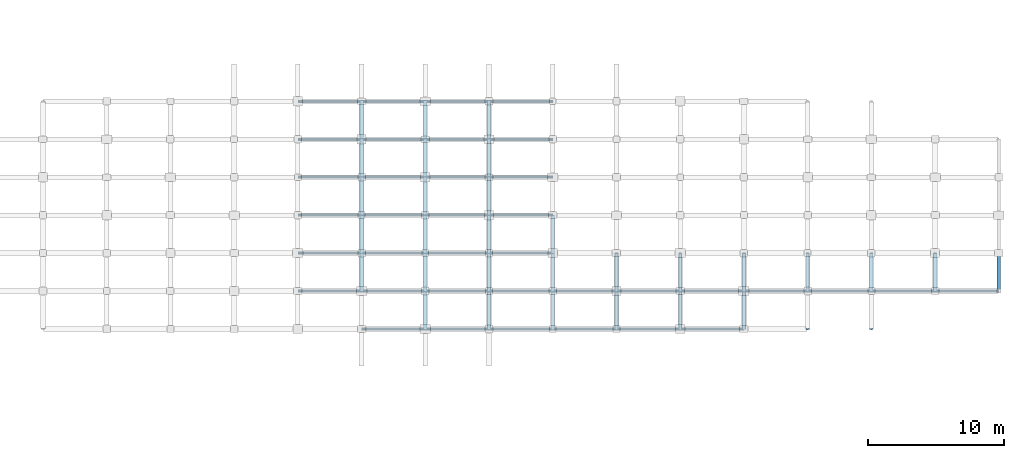
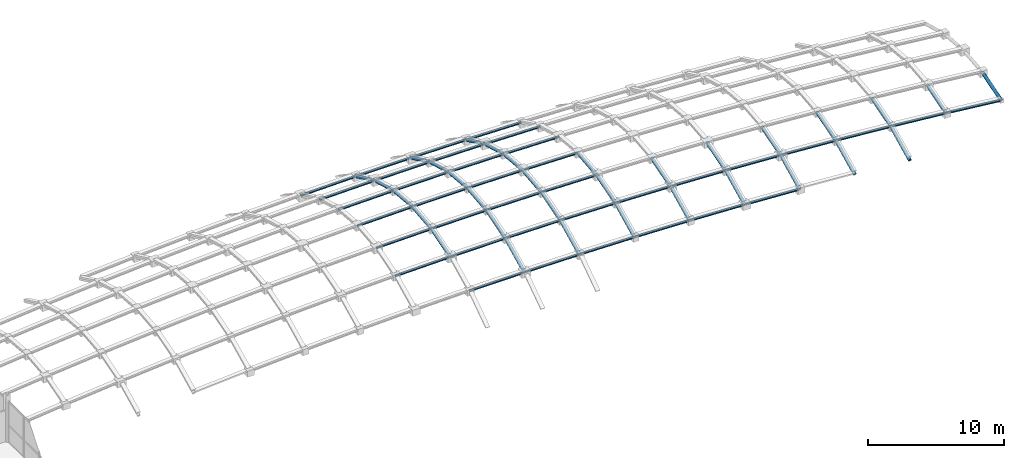
# One storey, part 18 of 36: 37 members, 32 beams.
"""IFC4 building model written with IfcOpenShell, lengths in metres."""

from ifc_helpers import new_model, si_unit, direction, frame, origin, origin_2d, place, context, subcontext, project, spatial, hollow_circle, extrude, material, material_profile, profile_set, type_object, element, save


model = new_model("IFC4")

# Units and contexts
model_context = context("Model", 3, precision=1e-05, world=origin(), true_north=direction((0.0, 1.0)))
body_context = subcontext(model_context, "Body", "Model", "MODEL_VIEW")
ifc_project = project(units=[si_unit("LENGTHUNIT", "METRE"), si_unit("AREAUNIT", "SQUARE_METRE"), si_unit("VOLUMEUNIT", "CUBIC_METRE"), si_unit("PLANEANGLEUNIT", "RADIAN"), si_unit("MASSUNIT", "GRAM", prefix="KILO")], contexts=[model_context])

# Site, building, storey
site_placement = place(None, origin())
site = spatial("IfcSite", under=ifc_project, at=site_placement, CompositionType="ELEMENT")
building_placement = place(site_placement, origin())
building = spatial("IfcBuilding", under=site, at=building_placement, Name="Quillay Park Conservatory", CompositionType="ELEMENT")
storey_placement = place(building_placement, frame((0.0, 0.0, 18.300048828125)))
storey = spatial("IfcBuildingStorey", under=building, at=storey_placement, Name="L04", CompositionType="ELEMENT", Elevation=18.300048828125)

# Beams
ifc_material_1 = material(Name="Steel S355J2H", Category="steel")
ifc_material_profile_1 = material_profile(ifc_material_1, hollow_circle(Radius=0.136474609375, WallThickness=0.012451171875, at=origin_2d()), Name="CHS273x12.5")
ifc_profile_set_1 = profile_set([ifc_material_profile_1], Name="Steel S355J2H")
beam_type = type_object("IfcBeamType", Name="GRIDSHELL ARCH BEAM CHS273", PredefinedType="USERDEFINED", material=ifc_profile_set_1)
beam_1_placement = place(storey_placement, frame((68.072265625, 93.905029296875, 2.12451171875), z_axis=(0.0, 0.958151638199, 0.286261136406), x_axis=(-1.0, 0.0, 0.0)))
element("IfcBeam", 1, at=beam_1_placement, inside=storey, type_object=beam_type, Name="Gridshell member GS-ARCH-08-03", ObjectType="GRIDSHELL ARCH BEAM", PredefinedType="USERDEFINED", context=body_context, shape_type="SweptSolid", body=[
    extrude(hollow_circle(Radius=0.136474609375, WallThickness=0.012451171875, at=origin_2d()), origin(), (0.0, 0.0, 1.0), 2.906494140625),
])
beam_2_placement = place(storey_placement, frame((68.072265625, 96.68994140625, 2.95654296875), z_axis=(0.0, 0.99451309317, 0.104612176701), x_axis=(-1.0, 0.0, 0.0)))
element("IfcBeam", 2, at=beam_2_placement, inside=storey, type_object=beam_type, Name="Gridshell member GS-ARCH-08-04", ObjectType="GRIDSHELL ARCH BEAM", PredefinedType="USERDEFINED", context=body_context, shape_type="SweptSolid", body=[
    extrude(hollow_circle(Radius=0.136474609375, WallThickness=0.012451171875, at=origin_2d()), origin(), (0.0, 0.0, 1.0), 2.800537109375),
])
beam_3_placement = place(storey_placement, frame((68.072265625, 99.47509765625, 3.24951171875), z_axis=(0.0, 0.996118373088, -0.088023785401), x_axis=(-1.0, 0.0, 0.0)))
element("IfcBeam", 3, at=beam_3_placement, inside=storey, type_object=beam_type, Name="Gridshell member GS-ARCH-08-05", ObjectType="GRIDSHELL ARCH BEAM", PredefinedType="USERDEFINED", context=body_context, shape_type="SweptSolid", body=[
    extrude(hollow_circle(Radius=0.136474609375, WallThickness=0.012451171875, at=origin_2d()), origin(), (0.0, 0.0, 1.0), 2.795654296875),
])
beam_4_placement = place(storey_placement, frame((68.072265625, 102.260009765625, 3.00341796875), z_axis=(0.0, 0.962831532331, -0.2701026478), x_axis=(-1.0, 0.0, 0.0)))
element("IfcBeam", 4, at=beam_4_placement, inside=storey, type_object=beam_type, Name="Gridshell member GS-ARCH-08-06", ObjectType="GRIDSHELL ARCH BEAM", PredefinedType="USERDEFINED", context=body_context, shape_type="SweptSolid", body=[
    extrude(hollow_circle(Radius=0.136474609375, WallThickness=0.012451171875, at=origin_2d()), origin(), (0.0, 0.0, 1.0), 2.892333984375),
])
beam_5_placement = place(storey_placement, frame((68.072265625, 105.044921875, 2.22216796875), z_axis=(0.0, 0.903117900184, -0.429392662219), x_axis=(-1.0, 0.0, 0.0)))
element("IfcBeam", 5, at=beam_5_placement, inside=storey, type_object=beam_type, Name="Gridshell member GS-ARCH-08-07", ObjectType="GRIDSHELL ARCH BEAM", PredefinedType="USERDEFINED", context=body_context, shape_type="SweptSolid", body=[
    extrude(hollow_circle(Radius=0.136474609375, WallThickness=0.012451171875, at=origin_2d()), origin(), (0.0, 0.0, 1.0), 3.083984375),
])
beam_6_placement = place(storey_placement, frame((72.75, 91.1201171875, 0.78466796875), z_axis=(0.0, 0.897163004175, 0.441699608262), x_axis=(-1.0, 0.0, 0.0)))
element("IfcBeam", 6, at=beam_6_placement, inside=storey, type_object=beam_type, Name="Gridshell member GS-ARCH-09-02", ObjectType="GRIDSHELL ARCH BEAM", PredefinedType="USERDEFINED", context=body_context, shape_type="SweptSolid", body=[
    extrude(hollow_circle(Radius=0.136474609375, WallThickness=0.012451171875, at=origin_2d()), origin(), (0.0, 0.0, 1.0), 3.104248046875),
])
beam_7_placement = place(storey_placement, frame((72.75, 93.905029296875, 2.15576171875), z_axis=(0.0, 0.958151638199, 0.286261136406), x_axis=(-1.0, 0.0, 0.0)))
element("IfcBeam", 7, at=beam_7_placement, inside=storey, type_object=beam_type, Name="Gridshell member GS-ARCH-09-03", ObjectType="GRIDSHELL ARCH BEAM", PredefinedType="USERDEFINED", context=body_context, shape_type="SweptSolid", body=[
    extrude(hollow_circle(Radius=0.136474609375, WallThickness=0.012451171875, at=origin_2d()), origin(), (0.0, 0.0, 1.0), 2.906494140625),
])
beam_8_placement = place(storey_placement, frame((72.75, 96.68994140625, 2.98779296875), z_axis=(0.0, 0.99451309317, 0.104612176701), x_axis=(-1.0, 0.0, 0.0)))
element("IfcBeam", 8, at=beam_8_placement, inside=storey, type_object=beam_type, Name="Gridshell member GS-ARCH-09-04", ObjectType="GRIDSHELL ARCH BEAM", PredefinedType="USERDEFINED", context=body_context, shape_type="SweptSolid", body=[
    extrude(hollow_circle(Radius=0.136474609375, WallThickness=0.012451171875, at=origin_2d()), origin(), (0.0, 0.0, 1.0), 2.800537109375),
])
beam_9_placement = place(storey_placement, frame((72.75, 99.47509765625, 3.28076171875), z_axis=(0.0, 0.996118373088, -0.088023785401), x_axis=(-1.0, 0.0, 0.0)))
element("IfcBeam", 9, at=beam_9_placement, inside=storey, type_object=beam_type, Name="Gridshell member GS-ARCH-09-05", ObjectType="GRIDSHELL ARCH BEAM", PredefinedType="USERDEFINED", context=body_context, shape_type="SweptSolid", body=[
    extrude(hollow_circle(Radius=0.136474609375, WallThickness=0.012451171875, at=origin_2d()), origin(), (0.0, 0.0, 1.0), 2.795654296875),
])
beam_10_placement = place(storey_placement, frame((72.75, 102.260009765625, 3.03466796875), z_axis=(0.0, 0.962831532331, -0.2701026478), x_axis=(-1.0, 0.0, 0.0)))
element("IfcBeam", 10, at=beam_10_placement, inside=storey, type_object=beam_type, Name="Gridshell member GS-ARCH-09-06", ObjectType="GRIDSHELL ARCH BEAM", PredefinedType="USERDEFINED", context=body_context, shape_type="SweptSolid", body=[
    extrude(hollow_circle(Radius=0.136474609375, WallThickness=0.012451171875, at=origin_2d()), origin(), (0.0, 0.0, 1.0), 2.892333984375),
])
beam_11_placement = place(storey_placement, frame((72.75, 105.044921875, 2.25341796875), z_axis=(0.0, 0.903117900184, -0.429392662219), x_axis=(-1.0, 0.0, 0.0)))
element("IfcBeam", 11, at=beam_11_placement, inside=storey, type_object=beam_type, Name="Gridshell member GS-ARCH-09-07", ObjectType="GRIDSHELL ARCH BEAM", PredefinedType="USERDEFINED", context=body_context, shape_type="SweptSolid", body=[
    extrude(hollow_circle(Radius=0.136474609375, WallThickness=0.012451171875, at=origin_2d()), origin(), (0.0, 0.0, 1.0), 3.083984375),
])
beam_12_placement = place(storey_placement, frame((77.427734375, 91.1201171875, 0.75341796875), z_axis=(0.0, 0.897163004175, 0.441699608262), x_axis=(-1.0, 0.0, 0.0)))
element("IfcBeam", 12, at=beam_12_placement, inside=storey, type_object=beam_type, Name="Gridshell member GS-ARCH-10-02", ObjectType="GRIDSHELL ARCH BEAM", PredefinedType="USERDEFINED", context=body_context, shape_type="SweptSolid", body=[
    extrude(hollow_circle(Radius=0.136474609375, WallThickness=0.012451171875, at=origin_2d()), origin(), (0.0, 0.0, 1.0), 3.104248046875),
])
beam_13_placement = place(storey_placement, frame((77.427734375, 93.905029296875, 2.12451171875), z_axis=(0.0, 0.958151638199, 0.286261136406), x_axis=(-1.0, 0.0, 0.0)))
element("IfcBeam", 13, at=beam_13_placement, inside=storey, type_object=beam_type, Name="Gridshell member GS-ARCH-10-03", ObjectType="GRIDSHELL ARCH BEAM", PredefinedType="USERDEFINED", context=body_context, shape_type="SweptSolid", body=[
    extrude(hollow_circle(Radius=0.136474609375, WallThickness=0.012451171875, at=origin_2d()), origin(), (0.0, 0.0, 1.0), 2.906494140625),
])
beam_14_placement = place(storey_placement, frame((77.427734375, 96.68994140625, 2.95654296875), z_axis=(0.0, 0.99451309317, 0.104612176701), x_axis=(-1.0, 0.0, 0.0)))
element("IfcBeam", 14, at=beam_14_placement, inside=storey, type_object=beam_type, Name="Gridshell member GS-ARCH-10-04", ObjectType="GRIDSHELL ARCH BEAM", PredefinedType="USERDEFINED", context=body_context, shape_type="SweptSolid", body=[
    extrude(hollow_circle(Radius=0.136474609375, WallThickness=0.012451171875, at=origin_2d()), origin(), (0.0, 0.0, 1.0), 2.800537109375),
])
beam_15_placement = place(storey_placement, frame((77.427734375, 99.47509765625, 3.24951171875), z_axis=(0.0, 0.996118373088, -0.088023785401), x_axis=(-1.0, 0.0, 0.0)))
element("IfcBeam", 15, at=beam_15_placement, inside=storey, type_object=beam_type, Name="Gridshell member GS-ARCH-10-05", ObjectType="GRIDSHELL ARCH BEAM", PredefinedType="USERDEFINED", context=body_context, shape_type="SweptSolid", body=[
    extrude(hollow_circle(Radius=0.136474609375, WallThickness=0.012451171875, at=origin_2d()), origin(), (0.0, 0.0, 1.0), 2.795654296875),
])
beam_16_placement = place(storey_placement, frame((77.427734375, 102.260009765625, 3.00341796875), z_axis=(0.0, 0.962831532331, -0.2701026478), x_axis=(-1.0, 0.0, 0.0)))
element("IfcBeam", 16, at=beam_16_placement, inside=storey, type_object=beam_type, Name="Gridshell member GS-ARCH-10-06", ObjectType="GRIDSHELL ARCH BEAM", PredefinedType="USERDEFINED", context=body_context, shape_type="SweptSolid", body=[
    extrude(hollow_circle(Radius=0.136474609375, WallThickness=0.012451171875, at=origin_2d()), origin(), (0.0, 0.0, 1.0), 2.892333984375),
])
beam_17_placement = place(storey_placement, frame((77.427734375, 105.044921875, 2.22216796875), z_axis=(0.0, 0.903117900184, -0.429392662219), x_axis=(-1.0, 0.0, 0.0)))
element("IfcBeam", 17, at=beam_17_placement, inside=storey, type_object=beam_type, Name="Gridshell member GS-ARCH-10-07", ObjectType="GRIDSHELL ARCH BEAM", PredefinedType="USERDEFINED", context=body_context, shape_type="SweptSolid", body=[
    extrude(hollow_circle(Radius=0.136474609375, WallThickness=0.012451171875, at=origin_2d()), origin(), (0.0, 0.0, 1.0), 3.083984375),
])
beam_18_placement = place(storey_placement, frame((82.105712890625, 91.1201171875, 0.66748046875), z_axis=(0.0, 0.897163004175, 0.441699608262), x_axis=(-1.0, 0.0, 0.0)))
element("IfcBeam", 18, at=beam_18_placement, inside=storey, type_object=beam_type, Name="Gridshell member GS-ARCH-11-02", ObjectType="GRIDSHELL ARCH BEAM", PredefinedType="USERDEFINED", context=body_context, shape_type="SweptSolid", body=[
    extrude(hollow_circle(Radius=0.136474609375, WallThickness=0.012451171875, at=origin_2d()), origin(), (0.0, 0.0, 1.0), 3.104248046875),
])
beam_19_placement = place(storey_placement, frame((82.105712890625, 93.905029296875, 2.03857421875), z_axis=(0.0, 0.958151638199, 0.286261136406), x_axis=(-1.0, 0.0, 0.0)))
element("IfcBeam", 19, at=beam_19_placement, inside=storey, type_object=beam_type, Name="Gridshell member GS-ARCH-11-03", ObjectType="GRIDSHELL ARCH BEAM", PredefinedType="USERDEFINED", context=body_context, shape_type="SweptSolid", body=[
    extrude(hollow_circle(Radius=0.136474609375, WallThickness=0.012451171875, at=origin_2d()), origin(), (0.0, 0.0, 1.0), 2.906494140625),
])
beam_20_placement = place(storey_placement, frame((82.105712890625, 96.68994140625, 2.87060546875), z_axis=(0.0, 0.99451309317, 0.104612176701), x_axis=(-1.0, 0.0, 0.0)))
element("IfcBeam", 20, at=beam_20_placement, inside=storey, type_object=beam_type, Name="Gridshell member GS-ARCH-11-04", ObjectType="GRIDSHELL ARCH BEAM", PredefinedType="USERDEFINED", context=body_context, shape_type="SweptSolid", body=[
    extrude(hollow_circle(Radius=0.136474609375, WallThickness=0.012451171875, at=origin_2d()), origin(), (0.0, 0.0, 1.0), 2.800537109375),
])
beam_21_placement = place(storey_placement, frame((86.783203125, 91.1201171875, 0.51904296875), z_axis=(0.0, 0.897163004175, 0.441699608262), x_axis=(-1.0, 0.0, 0.0)))
element("IfcBeam", 21, at=beam_21_placement, inside=storey, type_object=beam_type, Name="Gridshell member GS-ARCH-12-02", ObjectType="GRIDSHELL ARCH BEAM", PredefinedType="USERDEFINED", context=body_context, shape_type="SweptSolid", body=[
    extrude(hollow_circle(Radius=0.136474609375, WallThickness=0.012451171875, at=origin_2d()), origin(), (0.0, 0.0, 1.0), 3.104248046875),
])
beam_22_placement = place(storey_placement, frame((86.783203125, 93.905029296875, 1.89013671875), z_axis=(0.0, 0.958151638199, 0.286261136406), x_axis=(-1.0, 0.0, 0.0)))
element("IfcBeam", 22, at=beam_22_placement, inside=storey, type_object=beam_type, Name="Gridshell member GS-ARCH-12-03", ObjectType="GRIDSHELL ARCH BEAM", PredefinedType="USERDEFINED", context=body_context, shape_type="SweptSolid", body=[
    extrude(hollow_circle(Radius=0.136474609375, WallThickness=0.012451171875, at=origin_2d()), origin(), (0.0, 0.0, 1.0), 2.906494140625),
])
beam_23_placement = place(storey_placement, frame((91.461181640625, 91.1201171875, 0.31591796875), z_axis=(0.0, 0.897163004175, 0.441699608262), x_axis=(-1.0, 0.0, 0.0)))
element("IfcBeam", 23, at=beam_23_placement, inside=storey, type_object=beam_type, Name="Gridshell member GS-ARCH-13-02", ObjectType="GRIDSHELL ARCH BEAM", PredefinedType="USERDEFINED", context=body_context, shape_type="SweptSolid", body=[
    extrude(hollow_circle(Radius=0.136474609375, WallThickness=0.012451171875, at=origin_2d()), origin(), (0.0, 0.0, 1.0), 3.104248046875),
])
beam_24_placement = place(storey_placement, frame((91.461181640625, 93.905029296875, 1.68701171875), z_axis=(0.0, 0.958151638199, 0.286261136406), x_axis=(-1.0, 0.0, 0.0)))
element("IfcBeam", 24, at=beam_24_placement, inside=storey, type_object=beam_type, Name="Gridshell member GS-ARCH-13-03", ObjectType="GRIDSHELL ARCH BEAM", PredefinedType="USERDEFINED", context=body_context, shape_type="SweptSolid", body=[
    extrude(hollow_circle(Radius=0.136474609375, WallThickness=0.012451171875, at=origin_2d()), origin(), (0.0, 0.0, 1.0), 2.906494140625),
])
beam_25_placement = place(storey_placement, frame((96.138916015625, 91.1201171875, 0.05419921875), z_axis=(0.0, 0.897163004175, 0.441699608262), x_axis=(-1.0, 0.0, 0.0)))
element("IfcBeam", 25, at=beam_25_placement, inside=storey, type_object=beam_type, Name="Gridshell member GS-ARCH-14-02", ObjectType="GRIDSHELL ARCH BEAM", PredefinedType="USERDEFINED", context=body_context, shape_type="SweptSolid", body=[
    extrude(hollow_circle(Radius=0.136474609375, WallThickness=0.012451171875, at=origin_2d()), origin(), (0.0, 0.0, 1.0), 3.104248046875),
])
beam_26_placement = place(storey_placement, frame((96.138916015625, 93.905029296875, 1.42529296875), z_axis=(0.0, 0.958151638199, 0.286261136406), x_axis=(-1.0, 0.0, 0.0)))
element("IfcBeam", 26, at=beam_26_placement, inside=storey, type_object=beam_type, Name="Gridshell member GS-ARCH-14-03", ObjectType="GRIDSHELL ARCH BEAM", PredefinedType="USERDEFINED", context=body_context, shape_type="SweptSolid", body=[
    extrude(hollow_circle(Radius=0.136474609375, WallThickness=0.012451171875, at=origin_2d()), origin(), (0.0, 0.0, 1.0), 2.906494140625),
])
beam_27_placement = place(storey_placement, frame((100.816650390625, 91.1201171875, -0.26611328125), z_axis=(0.0, 0.897163004175, 0.441699608262), x_axis=(-1.0, 0.0, 0.0)))
element("IfcBeam", 27, at=beam_27_placement, inside=storey, type_object=beam_type, Name="Gridshell member GS-ARCH-15-02", ObjectType="GRIDSHELL ARCH BEAM", PredefinedType="USERDEFINED", context=body_context, shape_type="SweptSolid", body=[
    extrude(hollow_circle(Radius=0.136474609375, WallThickness=0.012451171875, at=origin_2d()), origin(), (0.0, 0.0, 1.0), 3.104248046875),
])
beam_28_placement = place(storey_placement, frame((100.816650390625, 93.905029296875, 1.10498046875), z_axis=(0.0, 0.958151638199, 0.286261136406), x_axis=(-1.0, 0.0, 0.0)))
element("IfcBeam", 28, at=beam_28_placement, inside=storey, type_object=beam_type, Name="Gridshell member GS-ARCH-15-03", ObjectType="GRIDSHELL ARCH BEAM", PredefinedType="USERDEFINED", context=body_context, shape_type="SweptSolid", body=[
    extrude(hollow_circle(Radius=0.136474609375, WallThickness=0.012451171875, at=origin_2d()), origin(), (0.0, 0.0, 1.0), 2.906494140625),
])
beam_29_placement = place(storey_placement, frame((105.494384765625, 91.1201171875, -0.64501953125), z_axis=(0.0, 0.897163004175, 0.441699608262), x_axis=(-1.0, 0.0, 0.0)))
element("IfcBeam", 29, at=beam_29_placement, inside=storey, type_object=beam_type, Name="Gridshell member GS-ARCH-16-02", ObjectType="GRIDSHELL ARCH BEAM", PredefinedType="USERDEFINED", context=body_context, shape_type="SweptSolid", body=[
    extrude(hollow_circle(Radius=0.136474609375, WallThickness=0.012451171875, at=origin_2d()), origin(), (0.0, 0.0, 1.0), 3.104248046875),
])
for number, where, z_axis, x_axis, name in (
    (30, (105.494384765625, 93.905029296875, 0.72607421875), (0.0, 0.958151638199, 0.286261136406), (-1.0, 0.0, 0.0), "Gridshell member GS-ARCH-16-03"),
    (31, (110.172119140625, 93.905029296875, 0.28857421875), (0.0, 0.958151638199, 0.286261136406), (-1.0, 0.0, 0.0), "Gridshell member GS-ARCH-17-03"),
    (32, (114.85009765625, 93.905029296875, -0.20751953125), (0.0, 0.958151638199, 0.286261136406), (-1.0, 0.0, 0.0), "Gridshell member GS-ARCH-18-03"),
):
    element("IfcBeam", number, at=place(storey_placement, frame(where, z_axis=z_axis, x_axis=x_axis)), inside=storey, type_object=beam_type, Name=name, ObjectType="GRIDSHELL ARCH BEAM", PredefinedType="USERDEFINED", context=body_context, shape_type="SweptSolid", body=[
        extrude(hollow_circle(Radius=0.136474609375, WallThickness=0.012451171875, at=origin_2d()), origin(), (0.0, 0.0, 1.0), 2.906494140625),
    ])

# Members
ifc_material_2 = material(Name="Steel S355J2H", Category="steel")
ifc_material_profile_2 = material_profile(ifc_material_2, hollow_circle(Radius=0.109619140625, WallThickness=0.010009765625, at=origin_2d()), Name="CHS219.1x10")
ifc_profile_set_2 = profile_set([ifc_material_profile_2], Name="Steel S355J2H")
member_type = type_object("IfcMemberType", Name="GRIDSHELL ARCH RIB CHS219", PredefinedType="USERDEFINED", material=ifc_profile_set_2)
for number, where, z_axis, x_axis, name in (
    (33, (68.072265625, 91.1201171875, 0.75341796875), (0.999977685642, 0.0, 0.006680435478), (0.0, 1.0, 0.0), "Gridshell member GS-RIB-08-02"),
    (34, (72.75, 91.1201171875, 0.78466796875), (0.999977685642, 0.0, -0.006680435478), (0.0, 1.0, 0.0), "Gridshell member GS-RIB-09-02"),
):
    element("IfcMember", number, at=place(storey_placement, frame(where, z_axis=z_axis, x_axis=x_axis)), inside=storey, type_object=member_type, Name=name, ObjectType="GRIDSHELL ARCH RIB", PredefinedType="USERDEFINED", context=body_context, shape_type="SweptSolid", body=[
        extrude(hollow_circle(Radius=0.109619140625, WallThickness=0.010009765625, at=origin_2d()), origin(), (0.0, 0.0, 1.0), 4.677734375),
    ])
member_1_placement = place(storey_placement, frame((77.427734375, 91.1201171875, 0.75341796875), z_axis=(0.999831302331, 0.0, -0.018367549628), x_axis=(0.0, 1.0, 0.0)))
element("IfcMember", 35, at=member_1_placement, inside=storey, type_object=member_type, Name="Gridshell member GS-RIB-10-02", ObjectType="GRIDSHELL ARCH RIB", PredefinedType="USERDEFINED", context=body_context, shape_type="SweptSolid", body=[
    extrude(hollow_circle(Radius=0.109619140625, WallThickness=0.010009765625, at=origin_2d()), origin(), (0.0, 0.0, 1.0), 4.6787109375),
])
member_2_placement = place(storey_placement, frame((82.105712890625, 91.1201171875, 0.66748046875), z_axis=(0.99949684289, 0.0, -0.031718465498), x_axis=(0.0, 1.0, 0.0)))
element("IfcMember", 36, at=member_2_placement, inside=storey, type_object=member_type, Name="Gridshell member GS-RIB-11-02", ObjectType="GRIDSHELL ARCH RIB", PredefinedType="USERDEFINED", context=body_context, shape_type="SweptSolid", body=[
    extrude(hollow_circle(Radius=0.109619140625, WallThickness=0.010009765625, at=origin_2d()), origin(), (0.0, 0.0, 1.0), 4.679931640625),
])
member_3_placement = place(storey_placement, frame((86.783203125, 91.1201171875, 0.51904296875), z_axis=(0.999058616198, 0.0, -0.043380656995), x_axis=(0.0, 1.0, 0.0)))
element("IfcMember", 37, at=member_3_placement, inside=storey, type_object=member_type, Name="Gridshell member GS-RIB-12-02", ObjectType="GRIDSHELL ARCH RIB", PredefinedType="USERDEFINED", context=body_context, shape_type="SweptSolid", body=[
    extrude(hollow_circle(Radius=0.109619140625, WallThickness=0.010009765625, at=origin_2d()), origin(), (0.0, 0.0, 1.0), 4.682373046875),
])
member_4_placement = place(storey_placement, frame((91.461181640625, 91.1201171875, 0.31591796875), z_axis=(0.998438469785, 0.0, -0.055862528163), x_axis=(0.0, 1.0, 0.0)))
element("IfcMember", 38, at=member_4_placement, inside=storey, type_object=member_type, Name="Gridshell member GS-RIB-13-02", ObjectType="GRIDSHELL ARCH RIB", PredefinedType="USERDEFINED", context=body_context, shape_type="SweptSolid", body=[
    extrude(hollow_circle(Radius=0.109619140625, WallThickness=0.010009765625, at=origin_2d()), origin(), (0.0, 0.0, 1.0), 4.68505859375),
])
member_5_placement = place(storey_placement, frame((63.394287109375, 93.905029296875, 2.03857421875), z_axis=(0.999831302331, 0.0, 0.018367549628), x_axis=(0.0, 1.0, 0.0)))
element("IfcMember", 39, at=member_5_placement, inside=storey, type_object=member_type, Name="Gridshell member GS-RIB-07-03", ObjectType="GRIDSHELL ARCH RIB", PredefinedType="USERDEFINED", context=body_context, shape_type="SweptSolid", body=[
    extrude(hollow_circle(Radius=0.109619140625, WallThickness=0.010009765625, at=origin_2d()), origin(), (0.0, 0.0, 1.0), 4.6787109375),
])
for number, where, z_axis, x_axis, name in (
    (40, (68.072265625, 93.905029296875, 2.12451171875), (0.999977685642, 0.0, 0.006680435478), (0.0, 1.0, 0.0), "Gridshell member GS-RIB-08-03"),
    (41, (72.75, 93.905029296875, 2.15576171875), (0.999977685642, 0.0, -0.006680435478), (0.0, 1.0, 0.0), "Gridshell member GS-RIB-09-03"),
):
    element("IfcMember", number, at=place(storey_placement, frame(where, z_axis=z_axis, x_axis=x_axis)), inside=storey, type_object=member_type, Name=name, ObjectType="GRIDSHELL ARCH RIB", PredefinedType="USERDEFINED", context=body_context, shape_type="SweptSolid", body=[
        extrude(hollow_circle(Radius=0.109619140625, WallThickness=0.010009765625, at=origin_2d()), origin(), (0.0, 0.0, 1.0), 4.677734375),
    ])
member_6_placement = place(storey_placement, frame((77.427734375, 93.905029296875, 2.12451171875), z_axis=(0.999831302331, 0.0, -0.018367549628), x_axis=(0.0, 1.0, 0.0)))
element("IfcMember", 42, at=member_6_placement, inside=storey, type_object=member_type, Name="Gridshell member GS-RIB-10-03", ObjectType="GRIDSHELL ARCH RIB", PredefinedType="USERDEFINED", context=body_context, shape_type="SweptSolid", body=[
    extrude(hollow_circle(Radius=0.109619140625, WallThickness=0.010009765625, at=origin_2d()), origin(), (0.0, 0.0, 1.0), 4.6787109375),
])
member_7_placement = place(storey_placement, frame((82.105712890625, 93.905029296875, 2.03857421875), z_axis=(0.99949684289, 0.0, -0.031718465498), x_axis=(0.0, 1.0, 0.0)))
element("IfcMember", 43, at=member_7_placement, inside=storey, type_object=member_type, Name="Gridshell member GS-RIB-11-03", ObjectType="GRIDSHELL ARCH RIB", PredefinedType="USERDEFINED", context=body_context, shape_type="SweptSolid", body=[
    extrude(hollow_circle(Radius=0.109619140625, WallThickness=0.010009765625, at=origin_2d()), origin(), (0.0, 0.0, 1.0), 4.679931640625),
])
member_8_placement = place(storey_placement, frame((86.783203125, 93.905029296875, 1.89013671875), z_axis=(0.999058616198, 0.0, -0.043380656995), x_axis=(0.0, 1.0, 0.0)))
element("IfcMember", 44, at=member_8_placement, inside=storey, type_object=member_type, Name="Gridshell member GS-RIB-12-03", ObjectType="GRIDSHELL ARCH RIB", PredefinedType="USERDEFINED", context=body_context, shape_type="SweptSolid", body=[
    extrude(hollow_circle(Radius=0.109619140625, WallThickness=0.010009765625, at=origin_2d()), origin(), (0.0, 0.0, 1.0), 4.682373046875),
])
member_9_placement = place(storey_placement, frame((91.461181640625, 93.905029296875, 1.68701171875), z_axis=(0.998438469785, 0.0, -0.055862528163), x_axis=(0.0, 1.0, 0.0)))
element("IfcMember", 45, at=member_9_placement, inside=storey, type_object=member_type, Name="Gridshell member GS-RIB-13-03", ObjectType="GRIDSHELL ARCH RIB", PredefinedType="USERDEFINED", context=body_context, shape_type="SweptSolid", body=[
    extrude(hollow_circle(Radius=0.109619140625, WallThickness=0.010009765625, at=origin_2d()), origin(), (0.0, 0.0, 1.0), 4.68505859375),
])
member_10_placement = place(storey_placement, frame((96.138916015625, 93.905029296875, 1.42529296875), z_axis=(0.997663732084, 0.0, -0.068316013387), x_axis=(0.0, 1.0, 0.0)))
element("IfcMember", 46, at=member_10_placement, inside=storey, type_object=member_type, Name="Gridshell member GS-RIB-14-03", ObjectType="GRIDSHELL ARCH RIB", PredefinedType="USERDEFINED", context=body_context, shape_type="SweptSolid", body=[
    extrude(hollow_circle(Radius=0.109619140625, WallThickness=0.010009765625, at=origin_2d()), origin(), (0.0, 0.0, 1.0), 4.688720703125),
])
member_11_placement = place(storey_placement, frame((100.816650390625, 93.905029296875, 1.10498046875), z_axis=(0.996735387311, 0.0, -0.080737647239), x_axis=(0.0, 1.0, 0.0)))
element("IfcMember", 47, at=member_11_placement, inside=storey, type_object=member_type, Name="Gridshell member GS-RIB-15-03", ObjectType="GRIDSHELL ARCH RIB", PredefinedType="USERDEFINED", context=body_context, shape_type="SweptSolid", body=[
    extrude(hollow_circle(Radius=0.109619140625, WallThickness=0.010009765625, at=origin_2d()), origin(), (0.0, 0.0, 1.0), 4.693115234375),
])
member_12_placement = place(storey_placement, frame((105.494384765625, 93.905029296875, 0.72607421875), z_axis=(0.995654726514, 0.0, -0.093121778179), x_axis=(0.0, 1.0, 0.0)))
element("IfcMember", 48, at=member_12_placement, inside=storey, type_object=member_type, Name="Gridshell member GS-RIB-16-03", ObjectType="GRIDSHELL ARCH RIB", PredefinedType="USERDEFINED", context=body_context, shape_type="SweptSolid", body=[
    extrude(hollow_circle(Radius=0.109619140625, WallThickness=0.010009765625, at=origin_2d()), origin(), (0.0, 0.0, 1.0), 4.6982421875),
])
member_13_placement = place(storey_placement, frame((110.172119140625, 93.905029296875, 0.28857421875), z_axis=(0.994423821707, 0.0, -0.105457398137), x_axis=(0.0, 1.0, 0.0)))
element("IfcMember", 49, at=member_13_placement, inside=storey, type_object=member_type, Name="Gridshell member GS-RIB-17-03", ObjectType="GRIDSHELL ARCH RIB", PredefinedType="USERDEFINED", context=body_context, shape_type="SweptSolid", body=[
    extrude(hollow_circle(Radius=0.109619140625, WallThickness=0.010009765625, at=origin_2d()), origin(), (0.0, 0.0, 1.0), 4.7041015625),
])
member_14_placement = place(storey_placement, frame((63.394287109375, 96.68994140625, 2.87060546875), z_axis=(0.999831302331, 0.0, 0.018367549628), x_axis=(0.0, 1.0, 0.0)))
element("IfcMember", 50, at=member_14_placement, inside=storey, type_object=member_type, Name="Gridshell member GS-RIB-07-04", ObjectType="GRIDSHELL ARCH RIB", PredefinedType="USERDEFINED", context=body_context, shape_type="SweptSolid", body=[
    extrude(hollow_circle(Radius=0.109619140625, WallThickness=0.010009765625, at=origin_2d()), origin(), (0.0, 0.0, 1.0), 4.6787109375),
])
for number, where, z_axis, x_axis, name in (
    (51, (68.072265625, 96.68994140625, 2.95654296875), (0.999977685642, 0.0, 0.006680435478), (0.0, 1.0, 0.0), "Gridshell member GS-RIB-08-04"),
    (52, (72.75, 96.68994140625, 2.98779296875), (0.999977685642, 0.0, -0.006680435478), (0.0, 1.0, 0.0), "Gridshell member GS-RIB-09-04"),
):
    element("IfcMember", number, at=place(storey_placement, frame(where, z_axis=z_axis, x_axis=x_axis)), inside=storey, type_object=member_type, Name=name, ObjectType="GRIDSHELL ARCH RIB", PredefinedType="USERDEFINED", context=body_context, shape_type="SweptSolid", body=[
        extrude(hollow_circle(Radius=0.109619140625, WallThickness=0.010009765625, at=origin_2d()), origin(), (0.0, 0.0, 1.0), 4.677734375),
    ])
for number, where, z_axis, x_axis, name in (
    (53, (77.427734375, 96.68994140625, 2.95654296875), (0.999831302331, 0.0, -0.018367549628), (0.0, 1.0, 0.0), "Gridshell member GS-RIB-10-04"),
    (54, (63.394287109375, 99.47509765625, 3.16357421875), (0.999831302331, 0.0, 0.018367549628), (0.0, 1.0, 0.0), "Gridshell member GS-RIB-07-05"),
):
    element("IfcMember", number, at=place(storey_placement, frame(where, z_axis=z_axis, x_axis=x_axis)), inside=storey, type_object=member_type, Name=name, ObjectType="GRIDSHELL ARCH RIB", PredefinedType="USERDEFINED", context=body_context, shape_type="SweptSolid", body=[
        extrude(hollow_circle(Radius=0.109619140625, WallThickness=0.010009765625, at=origin_2d()), origin(), (0.0, 0.0, 1.0), 4.6787109375),
    ])
for number, where, z_axis, x_axis, name in (
    (55, (68.072265625, 99.47509765625, 3.24951171875), (0.999977685642, 0.0, 0.006680435478), (0.0, 1.0, 0.0), "Gridshell member GS-RIB-08-05"),
    (56, (72.75, 99.47509765625, 3.28076171875), (0.999977685642, 0.0, -0.006680435478), (0.0, 1.0, 0.0), "Gridshell member GS-RIB-09-05"),
):
    element("IfcMember", number, at=place(storey_placement, frame(where, z_axis=z_axis, x_axis=x_axis)), inside=storey, type_object=member_type, Name=name, ObjectType="GRIDSHELL ARCH RIB", PredefinedType="USERDEFINED", context=body_context, shape_type="SweptSolid", body=[
        extrude(hollow_circle(Radius=0.109619140625, WallThickness=0.010009765625, at=origin_2d()), origin(), (0.0, 0.0, 1.0), 4.677734375),
    ])
for number, where, z_axis, x_axis, name in (
    (57, (77.427734375, 99.47509765625, 3.24951171875), (0.999831302331, 0.0, -0.018367549628), (0.0, 1.0, 0.0), "Gridshell member GS-RIB-10-05"),
    (58, (63.394287109375, 102.260009765625, 2.91748046875), (0.999831302331, 0.0, 0.018367549628), (0.0, 1.0, 0.0), "Gridshell member GS-RIB-07-06"),
):
    element("IfcMember", number, at=place(storey_placement, frame(where, z_axis=z_axis, x_axis=x_axis)), inside=storey, type_object=member_type, Name=name, ObjectType="GRIDSHELL ARCH RIB", PredefinedType="USERDEFINED", context=body_context, shape_type="SweptSolid", body=[
        extrude(hollow_circle(Radius=0.109619140625, WallThickness=0.010009765625, at=origin_2d()), origin(), (0.0, 0.0, 1.0), 4.6787109375),
    ])
for number, where, z_axis, x_axis, name in (
    (59, (68.072265625, 102.260009765625, 3.00341796875), (0.999977685642, 0.0, 0.006680435478), (0.0, 1.0, 0.0), "Gridshell member GS-RIB-08-06"),
    (60, (72.75, 102.260009765625, 3.03466796875), (0.999977685642, 0.0, -0.006680435478), (0.0, 1.0, 0.0), "Gridshell member GS-RIB-09-06"),
):
    element("IfcMember", number, at=place(storey_placement, frame(where, z_axis=z_axis, x_axis=x_axis)), inside=storey, type_object=member_type, Name=name, ObjectType="GRIDSHELL ARCH RIB", PredefinedType="USERDEFINED", context=body_context, shape_type="SweptSolid", body=[
        extrude(hollow_circle(Radius=0.109619140625, WallThickness=0.010009765625, at=origin_2d()), origin(), (0.0, 0.0, 1.0), 4.677734375),
    ])
for number, where, z_axis, x_axis, name in (
    (61, (77.427734375, 102.260009765625, 3.00341796875), (0.999831302331, 0.0, -0.018367549628), (0.0, 1.0, 0.0), "Gridshell member GS-RIB-10-06"),
    (62, (63.394287109375, 105.044921875, 2.13623046875), (0.999831302331, 0.0, 0.018367549628), (0.0, 1.0, 0.0), "Gridshell member GS-RIB-07-07"),
):
    element("IfcMember", number, at=place(storey_placement, frame(where, z_axis=z_axis, x_axis=x_axis)), inside=storey, type_object=member_type, Name=name, ObjectType="GRIDSHELL ARCH RIB", PredefinedType="USERDEFINED", context=body_context, shape_type="SweptSolid", body=[
        extrude(hollow_circle(Radius=0.109619140625, WallThickness=0.010009765625, at=origin_2d()), origin(), (0.0, 0.0, 1.0), 4.6787109375),
    ])
for number, where, z_axis, x_axis, name in (
    (63, (68.072265625, 105.044921875, 2.22216796875), (0.999977685642, 0.0, 0.006680435478), (0.0, 1.0, 0.0), "Gridshell member GS-RIB-08-07"),
    (64, (72.75, 105.044921875, 2.25341796875), (0.999977685642, 0.0, -0.006680435478), (0.0, 1.0, 0.0), "Gridshell member GS-RIB-09-07"),
):
    element("IfcMember", number, at=place(storey_placement, frame(where, z_axis=z_axis, x_axis=x_axis)), inside=storey, type_object=member_type, Name=name, ObjectType="GRIDSHELL ARCH RIB", PredefinedType="USERDEFINED", context=body_context, shape_type="SweptSolid", body=[
        extrude(hollow_circle(Radius=0.109619140625, WallThickness=0.010009765625, at=origin_2d()), origin(), (0.0, 0.0, 1.0), 4.677734375),
    ])
for number, where, z_axis, x_axis, name in (
    (65, (77.427734375, 105.044921875, 2.22216796875), (0.999831302331, 0.0, -0.018367549628), (0.0, 1.0, 0.0), "Gridshell member GS-RIB-10-07"),
    (66, (63.394287109375, 107.830078125, 0.81201171875), (0.999831302331, 0.0, 0.018367549628), (0.0, 1.0, 0.0), "Gridshell member GS-RIB-07-08"),
):
    element("IfcMember", number, at=place(storey_placement, frame(where, z_axis=z_axis, x_axis=x_axis)), inside=storey, type_object=member_type, Name=name, ObjectType="GRIDSHELL ARCH RIB", PredefinedType="USERDEFINED", context=body_context, shape_type="SweptSolid", body=[
        extrude(hollow_circle(Radius=0.109619140625, WallThickness=0.010009765625, at=origin_2d()), origin(), (0.0, 0.0, 1.0), 4.6787109375),
    ])
for number, where, z_axis, x_axis, name in (
    (67, (68.072265625, 107.830078125, 0.89794921875), (0.999977685642, 0.0, 0.006680435478), (0.0, 1.0, 0.0), "Gridshell member GS-RIB-08-08"),
    (68, (72.75, 107.830078125, 0.92919921875), (0.999977685642, 0.0, -0.006680435478), (0.0, 1.0, 0.0), "Gridshell member GS-RIB-09-08"),
):
    element("IfcMember", number, at=place(storey_placement, frame(where, z_axis=z_axis, x_axis=x_axis)), inside=storey, type_object=member_type, Name=name, ObjectType="GRIDSHELL ARCH RIB", PredefinedType="USERDEFINED", context=body_context, shape_type="SweptSolid", body=[
        extrude(hollow_circle(Radius=0.109619140625, WallThickness=0.010009765625, at=origin_2d()), origin(), (0.0, 0.0, 1.0), 4.677734375),
    ])
member_15_placement = place(storey_placement, frame((77.427734375, 107.830078125, 0.89794921875), z_axis=(0.999831302331, 0.0, -0.018367549628), x_axis=(0.0, 1.0, 0.0)))
element("IfcMember", 69, at=member_15_placement, inside=storey, type_object=member_type, Name="Gridshell member GS-RIB-10-08", ObjectType="GRIDSHELL ARCH RIB", PredefinedType="USERDEFINED", context=body_context, shape_type="SweptSolid", body=[
    extrude(hollow_circle(Radius=0.109619140625, WallThickness=0.010009765625, at=origin_2d()), origin(), (0.0, 0.0, 1.0), 4.6787109375),
])

save(model, "model.ifc")
